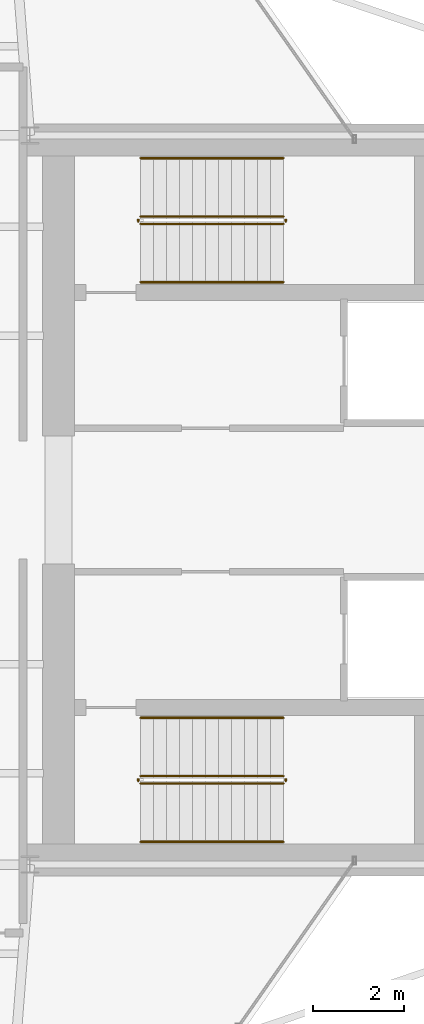
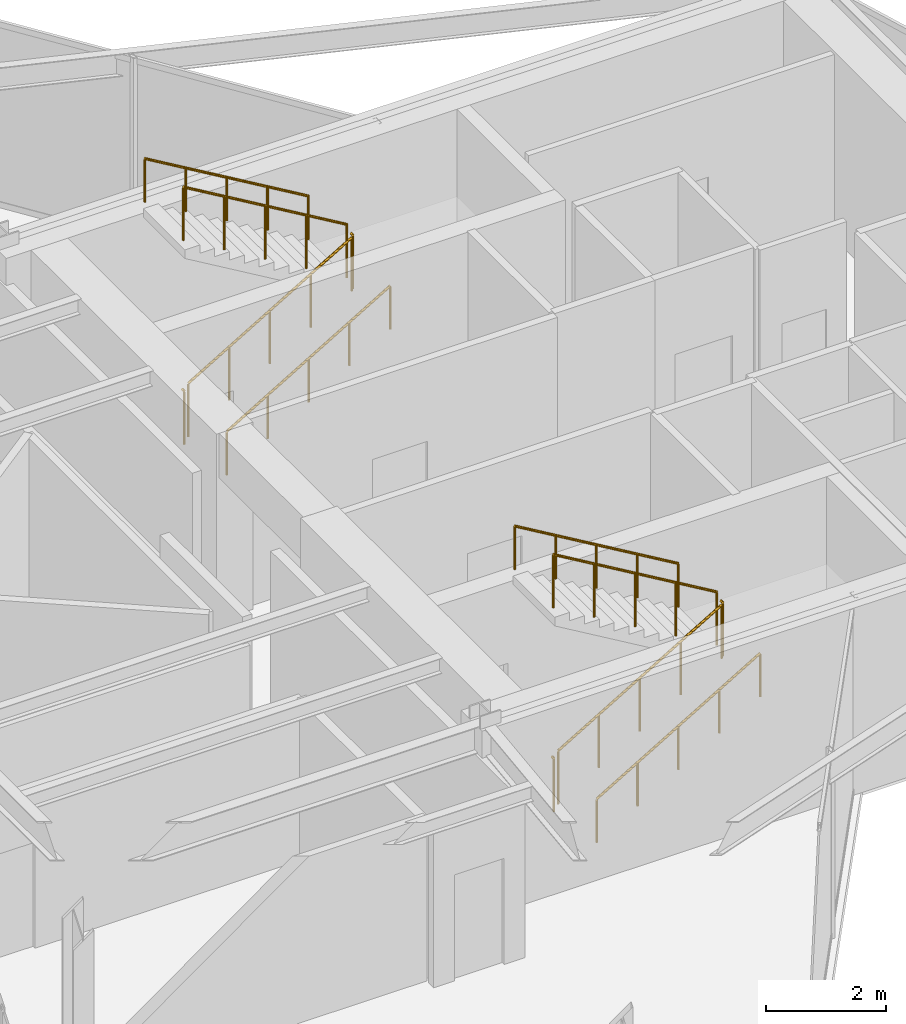
# One storey, part 22 of 22: 12 railings.
"""IFC4 building model written with IfcOpenShell, lengths in metres."""

from ifc_helpers import new_model, si_unit, direction, frame, origin, origin_2d, place, context, subcontext, project, spatial, circle, extrude, material, type_object, element, save


model = new_model("IFC4")

# Units and contexts
model_context = context("Model", 3, precision=1e-05, world=origin(), true_north=direction((0.0, 1.0)))
body_context = subcontext(model_context, "Body", "Model", "MODEL_VIEW")
ifc_project = project(units=[si_unit("LENGTHUNIT", "METRE"), si_unit("AREAUNIT", "SQUARE_METRE"), si_unit("VOLUMEUNIT", "CUBIC_METRE"), si_unit("PLANEANGLEUNIT", "RADIAN"), si_unit("MASSUNIT", "GRAM", prefix="KILO")], contexts=[model_context])

# Site, building, storey
site_placement = place(None, origin())
site = spatial("IfcSite", under=ifc_project, at=site_placement, CompositionType="ELEMENT")
building_placement = place(site_placement, origin())
building = spatial("IfcBuilding", under=site, at=building_placement, Name="Veymaron Broadcast Tower", CompositionType="ELEMENT")
storey_placement = place(building_placement, frame((0.0, 0.0, 216.14990234375)))
storey = spatial("IfcBuildingStorey", under=building, at=storey_placement, Name="L50", CompositionType="ELEMENT", Elevation=216.14990234375)

# Railings
ifc_material_1 = material(Name="Brushed stainless steel AISI 304", Category="steel")
railing_type_1 = type_object("IfcRailingType", Name="RAIL-STAIR-HR", PredefinedType="HANDRAIL", material=ifc_material_1)
railing_1_placement = place(storey_placement, frame((41.429931640625, 28.780029296875, 0.1689453125)))
element("IfcRailing", 1, at=railing_1_placement, inside=storey, type_object=railing_type_1, Name="L50 ST1 stair handrail 1", PredefinedType="HANDRAIL", context=body_context, shape_type="SweptSolid", body=[
    extrude(circle(Radius=0.02392578125, at=origin_2d()), frame((0.0, 0.0, 0.8759765625), z_axis=(0.860481960309, 0.0, 0.509480908359), x_axis=(0.0, 1.0, 0.0)), (0.0, 0.0, 1.0), 3.643310546875),
    extrude(circle(Radius=0.02099609375, at=origin_2d()), origin(), (0.0, 0.0, 1.0), 0.851806640625),
    extrude(circle(Radius=0.02099609375, at=origin_2d()), frame((0.78369140625, 0.0, 0.464111328125)), (0.0, 0.0, 1.0), 0.851806640625),
    extrude(circle(Radius=0.02099609375, at=origin_2d()), frame((1.5673828125, 0.0, 0.92822265625)), (0.0, 0.0, 1.0), 0.851806640625),
    extrude(circle(Radius=0.02099609375, at=origin_2d()), frame((2.351318359375, 0.0, 1.39208984375)), (0.0, 0.0, 1.0), 0.851806640625),
    extrude(circle(Radius=0.02099609375, at=origin_2d()), frame((3.135009765625, 0.0, 1.856201171875)), (0.0, 0.0, 1.0), 0.851806640625),
])
railing_2_placement = place(storey_placement, frame((44.56494140625, 31.5, 2.19384765625)))
element("IfcRailing", 2, at=railing_2_placement, inside=storey, type_object=railing_type_1, Name="L50 ST1 stair handrail 2", PredefinedType="HANDRAIL", context=body_context, shape_type="SweptSolid", body=[
    extrude(circle(Radius=0.02392578125, at=origin_2d()), frame((0.0, 0.0, 0.8759765625), z_axis=(-0.860481960309, 0.0, 0.509480908359), x_axis=(0.0, -1.0, 0.0)), (0.0, 0.0, 1.0), 3.643310546875),
    extrude(circle(Radius=0.02099609375, at=origin_2d()), origin(), (0.0, 0.0, 1.0), 0.851806640625),
    extrude(circle(Radius=0.02099609375, at=origin_2d()), frame((-0.78369140625, 0.0, 0.464111328125)), (0.0, 0.0, 1.0), 0.851806640625),
    extrude(circle(Radius=0.02099609375, at=origin_2d()), frame((-1.5673828125, 0.0, 0.92822265625)), (0.0, 0.0, 1.0), 0.851806640625),
    extrude(circle(Radius=0.02099609375, at=origin_2d()), frame((-2.351318359375, 0.0, 1.39208984375)), (0.0, 0.0, 1.0), 0.851806640625),
    extrude(circle(Radius=0.02099609375, at=origin_2d()), frame((-3.135009765625, 0.0, 1.856201171875)), (0.0, 0.0, 1.0), 0.851806640625),
])
railing_3_placement = place(storey_placement, frame((41.429931640625, 16.5, 0.1689453125)))
element("IfcRailing", 3, at=railing_3_placement, inside=storey, type_object=railing_type_1, Name="L50 ST2 stair handrail 1", PredefinedType="HANDRAIL", context=body_context, shape_type="SweptSolid", body=[
    extrude(circle(Radius=0.02392578125, at=origin_2d()), frame((0.0, 0.0, 0.8759765625), z_axis=(0.860481960309, 0.0, 0.509480908359), x_axis=(0.0, 1.0, 0.0)), (0.0, 0.0, 1.0), 3.643310546875),
    extrude(circle(Radius=0.02099609375, at=origin_2d()), origin(), (0.0, 0.0, 1.0), 0.851806640625),
    extrude(circle(Radius=0.02099609375, at=origin_2d()), frame((0.78369140625, 0.0, 0.464111328125)), (0.0, 0.0, 1.0), 0.851806640625),
    extrude(circle(Radius=0.02099609375, at=origin_2d()), frame((1.5673828125, 0.0, 0.92822265625)), (0.0, 0.0, 1.0), 0.851806640625),
    extrude(circle(Radius=0.02099609375, at=origin_2d()), frame((2.351318359375, 0.0, 1.39208984375)), (0.0, 0.0, 1.0), 0.851806640625),
    extrude(circle(Radius=0.02099609375, at=origin_2d()), frame((3.135009765625, 0.0, 1.856201171875)), (0.0, 0.0, 1.0), 0.851806640625),
])
railing_4_placement = place(storey_placement, frame((44.56494140625, 19.219970703125, 2.19384765625)))
element("IfcRailing", 4, at=railing_4_placement, inside=storey, type_object=railing_type_1, Name="L50 ST2 stair handrail 2", PredefinedType="HANDRAIL", context=body_context, shape_type="SweptSolid", body=[
    extrude(circle(Radius=0.02392578125, at=origin_2d()), frame((0.0, 0.0, 0.8759765625), z_axis=(-0.860481960309, 0.0, 0.509480908359), x_axis=(0.0, -1.0, 0.0)), (0.0, 0.0, 1.0), 3.643310546875),
    extrude(circle(Radius=0.02099609375, at=origin_2d()), origin(), (0.0, 0.0, 1.0), 0.851806640625),
    extrude(circle(Radius=0.02099609375, at=origin_2d()), frame((-0.78369140625, 0.0, 0.464111328125)), (0.0, 0.0, 1.0), 0.851806640625),
    extrude(circle(Radius=0.02099609375, at=origin_2d()), frame((-1.5673828125, 0.0, 0.92822265625)), (0.0, 0.0, 1.0), 0.851806640625),
    extrude(circle(Radius=0.02099609375, at=origin_2d()), frame((-2.351318359375, 0.0, 1.39208984375)), (0.0, 0.0, 1.0), 0.851806640625),
    extrude(circle(Radius=0.02099609375, at=origin_2d()), frame((-3.135009765625, 0.0, 1.856201171875)), (0.0, 0.0, 1.0), 0.851806640625),
])
ifc_material_2 = material(Name="Painted galvanized steel balustrade", Category="steel")
railing_type_2 = type_object("IfcRailingType", Name="RAIL-WELL-GRD", PredefinedType="GUARDRAIL", material=ifc_material_2)
railing_5_placement = place(storey_placement, frame((41.429931640625, 30.06005859375, 0.1689453125)))
element("IfcRailing", 5, at=railing_5_placement, inside=storey, type_object=railing_type_2, Name="L50 ST1 stair guard 1", PredefinedType="GUARDRAIL", context=body_context, shape_type="SweptSolid", body=[
    extrude(circle(Radius=0.02392578125, at=origin_2d()), frame((0.0, 0.0, 1.076171875), z_axis=(0.860481960309, 0.0, 0.509480908359), x_axis=(0.0, 1.0, 0.0)), (0.0, 0.0, 1.0), 3.643310546875),
    extrude(circle(Radius=0.02099609375, at=origin_2d()), origin(), (0.0, 0.0, 1.0), 1.052001953125),
    extrude(circle(Radius=0.02099609375, at=origin_2d()), frame((0.78369140625, 0.0, 0.464111328125)), (0.0, 0.0, 1.0), 1.052001953125),
    extrude(circle(Radius=0.02099609375, at=origin_2d()), frame((1.5673828125, 0.0, 0.92822265625)), (0.0, 0.0, 1.0), 1.052001953125),
    extrude(circle(Radius=0.02099609375, at=origin_2d()), frame((2.351318359375, 0.0, 1.39208984375)), (0.0, 0.0, 1.0), 1.052001953125),
    extrude(circle(Radius=0.02099609375, at=origin_2d()), frame((3.135009765625, 0.0, 1.856201171875)), (0.0, 0.0, 1.0), 1.052001953125),
])
railing_6_placement = place(storey_placement, frame((44.614990234375, 30.110107421875, 2.025146484375)))
element("IfcRailing", 6, at=railing_6_placement, inside=storey, type_object=railing_type_2, Name="L50 ST1 stair guard 2", PredefinedType="GUARDRAIL", context=body_context, shape_type="SweptSolid", body=[
    extrude(circle(Radius=0.02392578125, at=origin_2d()), frame((0.0, 0.0, 1.076171875), z_axis=(0.0, 1.0, 0.0), x_axis=(-1.0, 0.0, 0.0)), (0.0, 0.0, 1.0), 0.059814453125),
    extrude(circle(Radius=0.02099609375, at=origin_2d()), origin(), (0.0, 0.0, 1.0), 1.052001953125),
])
railing_7_placement = place(storey_placement, frame((44.56494140625, 30.219970703125, 2.19384765625)))
element("IfcRailing", 7, at=railing_7_placement, inside=storey, type_object=railing_type_2, Name="L50 ST1 stair guard 3", PredefinedType="GUARDRAIL", context=body_context, shape_type="SweptSolid", body=[
    extrude(circle(Radius=0.02392578125, at=origin_2d()), frame((0.0, 0.0, 1.076171875), z_axis=(-0.860481960309, 0.0, 0.509480908359), x_axis=(0.0, -1.0, 0.0)), (0.0, 0.0, 1.0), 3.643310546875),
    extrude(circle(Radius=0.02099609375, at=origin_2d()), origin(), (0.0, 0.0, 1.0), 1.052001953125),
    extrude(circle(Radius=0.02099609375, at=origin_2d()), frame((-0.78369140625, 0.0, 0.464111328125)), (0.0, 0.0, 1.0), 1.052001953125),
    extrude(circle(Radius=0.02099609375, at=origin_2d()), frame((-1.5673828125, 0.0, 0.92822265625)), (0.0, 0.0, 1.0), 1.052001953125),
    extrude(circle(Radius=0.02099609375, at=origin_2d()), frame((-2.351318359375, 0.0, 1.39208984375)), (0.0, 0.0, 1.0), 1.052001953125),
    extrude(circle(Radius=0.02099609375, at=origin_2d()), frame((-3.135009765625, 0.0, 1.856201171875)), (0.0, 0.0, 1.0), 1.052001953125),
])
railing_8_placement = place(storey_placement, frame((41.3798828125, 30.110107421875, 0.0)))
element("IfcRailing", 8, at=railing_8_placement, inside=storey, type_object=railing_type_2, Name="L50 ST1 stair guard 4", PredefinedType="GUARDRAIL", context=body_context, shape_type="SweptSolid", body=[
    extrude(circle(Radius=0.02392578125, at=origin_2d()), frame((0.0, 0.0, 1.076171875), z_axis=(0.0, 1.0, 0.0), x_axis=(-1.0, 0.0, 0.0)), (0.0, 0.0, 1.0), 0.059814453125),
    extrude(circle(Radius=0.02099609375, at=origin_2d()), origin(), (0.0, 0.0, 1.0), 1.052001953125),
])
railing_9_placement = place(storey_placement, frame((41.429931640625, 17.780029296875, 0.1689453125)))
element("IfcRailing", 9, at=railing_9_placement, inside=storey, type_object=railing_type_2, Name="L50 ST2 stair guard 1", PredefinedType="GUARDRAIL", context=body_context, shape_type="SweptSolid", body=[
    extrude(circle(Radius=0.02392578125, at=origin_2d()), frame((0.0, 0.0, 1.076171875), z_axis=(0.860481960309, 0.0, 0.509480908359), x_axis=(0.0, 1.0, 0.0)), (0.0, 0.0, 1.0), 3.643310546875),
    extrude(circle(Radius=0.02099609375, at=origin_2d()), origin(), (0.0, 0.0, 1.0), 1.052001953125),
    extrude(circle(Radius=0.02099609375, at=origin_2d()), frame((0.78369140625, 0.0, 0.464111328125)), (0.0, 0.0, 1.0), 1.052001953125),
    extrude(circle(Radius=0.02099609375, at=origin_2d()), frame((1.5673828125, 0.0, 0.92822265625)), (0.0, 0.0, 1.0), 1.052001953125),
    extrude(circle(Radius=0.02099609375, at=origin_2d()), frame((2.351318359375, 0.0, 1.39208984375)), (0.0, 0.0, 1.0), 1.052001953125),
    extrude(circle(Radius=0.02099609375, at=origin_2d()), frame((3.135009765625, 0.0, 1.856201171875)), (0.0, 0.0, 1.0), 1.052001953125),
])
railing_10_placement = place(storey_placement, frame((44.614990234375, 17.830078125, 2.025146484375)))
element("IfcRailing", 10, at=railing_10_placement, inside=storey, type_object=railing_type_2, Name="L50 ST2 stair guard 2", PredefinedType="GUARDRAIL", context=body_context, shape_type="SweptSolid", body=[
    extrude(circle(Radius=0.02392578125, at=origin_2d()), frame((0.0, 0.0, 1.076171875), z_axis=(0.0, 1.0, 0.0), x_axis=(-1.0, 0.0, 0.0)), (0.0, 0.0, 1.0), 0.059814453125),
    extrude(circle(Radius=0.02099609375, at=origin_2d()), origin(), (0.0, 0.0, 1.0), 1.052001953125),
])
railing_11_placement = place(storey_placement, frame((44.56494140625, 17.93994140625, 2.19384765625)))
element("IfcRailing", 11, at=railing_11_placement, inside=storey, type_object=railing_type_2, Name="L50 ST2 stair guard 3", PredefinedType="GUARDRAIL", context=body_context, shape_type="SweptSolid", body=[
    extrude(circle(Radius=0.02392578125, at=origin_2d()), frame((0.0, 0.0, 1.076171875), z_axis=(-0.860481960309, 0.0, 0.509480908359), x_axis=(0.0, -1.0, 0.0)), (0.0, 0.0, 1.0), 3.643310546875),
    extrude(circle(Radius=0.02099609375, at=origin_2d()), origin(), (0.0, 0.0, 1.0), 1.052001953125),
    extrude(circle(Radius=0.02099609375, at=origin_2d()), frame((-0.78369140625, 0.0, 0.464111328125)), (0.0, 0.0, 1.0), 1.052001953125),
    extrude(circle(Radius=0.02099609375, at=origin_2d()), frame((-1.5673828125, 0.0, 0.92822265625)), (0.0, 0.0, 1.0), 1.052001953125),
    extrude(circle(Radius=0.02099609375, at=origin_2d()), frame((-2.351318359375, 0.0, 1.39208984375)), (0.0, 0.0, 1.0), 1.052001953125),
    extrude(circle(Radius=0.02099609375, at=origin_2d()), frame((-3.135009765625, 0.0, 1.856201171875)), (0.0, 0.0, 1.0), 1.052001953125),
])
railing_12_placement = place(storey_placement, frame((41.3798828125, 17.830078125, 0.0)))
element("IfcRailing", 12, at=railing_12_placement, inside=storey, type_object=railing_type_2, Name="L50 ST2 stair guard 4", PredefinedType="GUARDRAIL", context=body_context, shape_type="SweptSolid", body=[
    extrude(circle(Radius=0.02392578125, at=origin_2d()), frame((0.0, 0.0, 1.076171875), z_axis=(0.0, 1.0, 0.0), x_axis=(-1.0, 0.0, 0.0)), (0.0, 0.0, 1.0), 0.059814453125),
    extrude(circle(Radius=0.02099609375, at=origin_2d()), origin(), (0.0, 0.0, 1.0), 1.052001953125),
])

save(model, "model.ifc")
